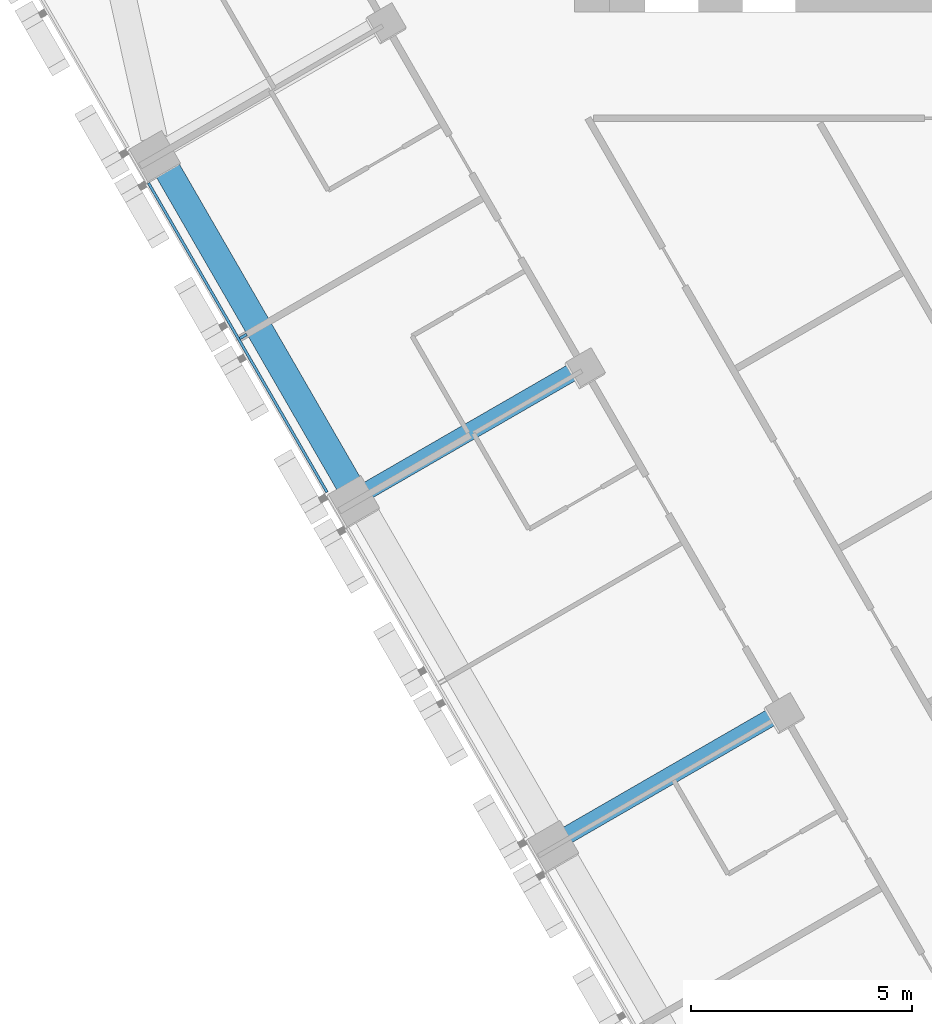
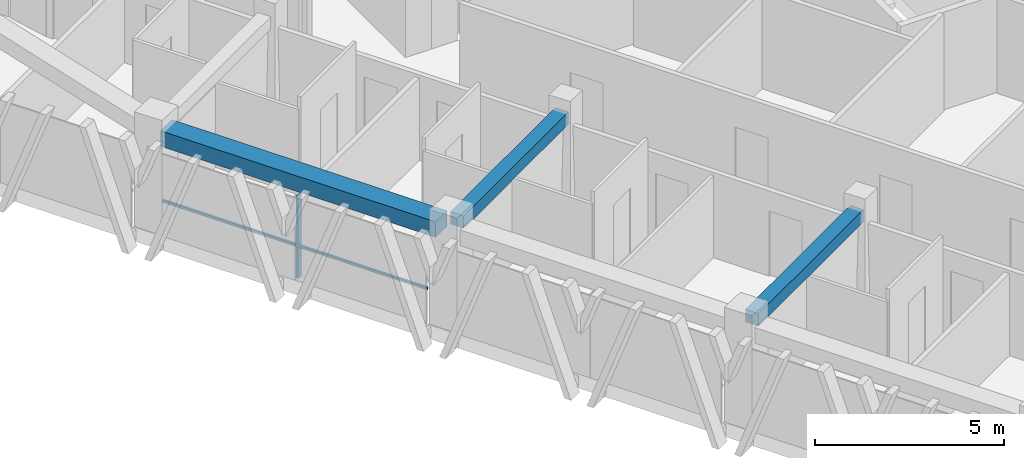
# One storey, part 3 of 16: 3 beams, 2 members, 1 element without a shape of its own.
"""IFC4 building model written with IfcOpenShell, lengths in metres."""

from ifc_helpers import new_model, si_unit, direction, frame, origin, origin_2d, place, context, subcontext, project, spatial, rectangle, extrude, material, layer, layer_set, material_profile, profile_set, type_object, element, aggregate, save


model = new_model("IFC4")

# Units and contexts
model_context = context("Model", 3, precision=1e-05, world=origin(), true_north=direction((0.0, 1.0)))
body_context = subcontext(model_context, "Body", "Model", "MODEL_VIEW")
ifc_project = project(units=[si_unit("LENGTHUNIT", "METRE"), si_unit("AREAUNIT", "SQUARE_METRE"), si_unit("VOLUMEUNIT", "CUBIC_METRE"), si_unit("PLANEANGLEUNIT", "RADIAN"), si_unit("MASSUNIT", "GRAM", prefix="KILO")], contexts=[model_context])

# Site, building, storey
site_placement = place(None, origin())
site = spatial("IfcSite", under=ifc_project, at=site_placement, CompositionType="ELEMENT")
building_placement = place(site_placement, origin())
building = spatial("IfcBuilding", under=site, at=building_placement, Name="Altiplano Prism Tower", CompositionType="ELEMENT")
storey_placement = place(building_placement, frame((0.0, 0.0, 127.800048828125)))
storey = spatial("IfcBuildingStorey", under=building, at=storey_placement, Name="L32", CompositionType="ELEMENT", Elevation=127.800048828125)

# Curtain wall, members
ifc_material_1 = material(Name="Aluminium and glass", Category="aluminium")
ifc_layer = layer(ifc_material_1, 0.280029296875)
ifc_layer_set = layer_set([ifc_layer], Name="Aluminium and glass")
curtain_wall_type = type_object("IfcCurtainWallType", Name="CW1 typical co-living unitised curtain wall", PredefinedType="NOTDEFINED", material=ifc_layer_set)
curtain_wall_placement = place(storey_placement, origin())
curtain_wall = element("IfcCurtainWall", 1, at=curtain_wall_placement, inside=storey, type_object=curtain_wall_type, Name="CW1 curtain wall south-west face L32", PredefinedType="NOTDEFINED")
ifc_material_2 = material(Name="Aluminium", Category="aluminium")
ifc_material_profile_1 = material_profile(ifc_material_2, rectangle(XDim=0.179931640625, YDim=0.06494140625, at=origin_2d()), Name="CW1 mullion 65 x 180")
ifc_profile_set_1 = profile_set([ifc_material_profile_1], Name="Aluminium")
member_type_1 = type_object("IfcMemberType", Name="CW1 mullion 65 x 180", PredefinedType="MULLION", material=ifc_profile_set_1)
member_1_placement = place(storey_placement, frame((64.7177734375, 85.2685546875, 0.0), z_axis=(0.0, 0.0, 1.0), x_axis=(0.866025403531, 0.500000000438, 0.0)))
member_1 = element("IfcMember", 2, at=member_1_placement, type_object=member_type_1, Name="CW1 mullion", PredefinedType="MULLION", context=body_context, shape_type="SweptSolid", body=[
    extrude(rectangle(XDim=0.179931640625, YDim=0.06494140625, at=origin_2d()), origin(), (0.0, 0.0, 1.0), 2.64990234375),
])
ifc_material_profile_2 = material_profile(ifc_material_2, rectangle(XDim=0.06005859375, YDim=0.080078125, at=origin_2d()), Name="CW1 transom 80 x 60")
ifc_profile_set_2 = profile_set([ifc_material_profile_2], Name="Aluminium")
member_type_2 = type_object("IfcMemberType", Name="CW1 transom 80 x 60", PredefinedType="USERDEFINED", material=ifc_profile_set_2)
member_2_placement = place(storey_placement, frame((62.57666015625, 88.737060546875, 1.099853515625), z_axis=(0.499994808408, -0.866028401131, 0.0), x_axis=(0.866028401131, 0.499994808408, 0.0)))
member_2 = element("IfcMember", 3, at=member_2_placement, type_object=member_type_2, Name="CW1 transom", ObjectType="TRANSOM", PredefinedType="USERDEFINED", context=body_context, shape_type="SweptSolid", body=[
    extrude(rectangle(XDim=0.06005859375, YDim=0.080078125, at=origin_2d()), origin(), (0.0, 0.0, 1.0), 8.06982421875),
])
aggregate(curtain_wall, [member_1, member_2])

# Beams
ifc_material_3 = material(Name="Concrete C60/75", Category="concrete")
ifc_material_profile_3 = material_profile(ifc_material_3, rectangle(XDim=0.60009765625, YDim=0.5, at=origin_2d()), Name="Edge beam 600x500")
ifc_profile_set_3 = profile_set([ifc_material_profile_3], Name="Concrete C60/75")
beam_type_1 = type_object("IfcBeamType", Name="Edge beam 600x500", PredefinedType="SPANDREL", material=ifc_profile_set_3)
beam_placement = place(storey_placement, frame((62.92529296875, 89.169921875, 2.89990234375), z_axis=(0.500010445942, -0.866019372733, 0.0), x_axis=(0.866019372733, 0.500010445942, 0.0)))
element("IfcBeam", 4, at=beam_placement, inside=storey, type_object=beam_type_1, Name="Edge beam P11-P12 L33", PredefinedType="SPANDREL", context=body_context, shape_type="SweptSolid", body=[
    extrude(rectangle(XDim=0.60009765625, YDim=0.5, at=origin_2d()), origin(), (0.0, 0.0, 1.0), 8.389892578125),
])
ifc_material_profile_4 = material_profile(ifc_material_3, rectangle(XDim=0.39990234375, YDim=0.39990234375, at=origin_2d()), Name="Tie beam 400x400")
ifc_profile_set_4 = profile_set([ifc_material_profile_4], Name="Concrete C60/75")
beam_type_2 = type_object("IfcBeamType", Name="Tie beam 400x400", PredefinedType="BEAM", material=ifc_profile_set_4)
for number, where, z_axis, x_axis, name in (
    (5, (72.334716796875, 84.5625, 2.949951171875), (-0.866016055733, -0.50001619095, 0.0), (0.50001619095, -0.866016055733, 0.0), "Tie beam I12 L33"),
    (6, (76.834716796875, 76.768310546875, 2.949951171875), (-0.866016055733, -0.50001619095, 0.0), (0.50001619095, -0.866016055733, 0.0), "Tie beam I13 L33"),
):
    element("IfcBeam", number, at=place(storey_placement, frame(where, z_axis=z_axis, x_axis=x_axis)), inside=storey, type_object=beam_type_2, Name=name, PredefinedType="BEAM", context=body_context, shape_type="SweptSolid", body=[
        extrude(rectangle(XDim=0.39990234375, YDim=0.39990234375, at=origin_2d()), origin(), (0.0, 0.0, 1.0), 5.539794921875),
    ])

save(model, "model.ifc")
